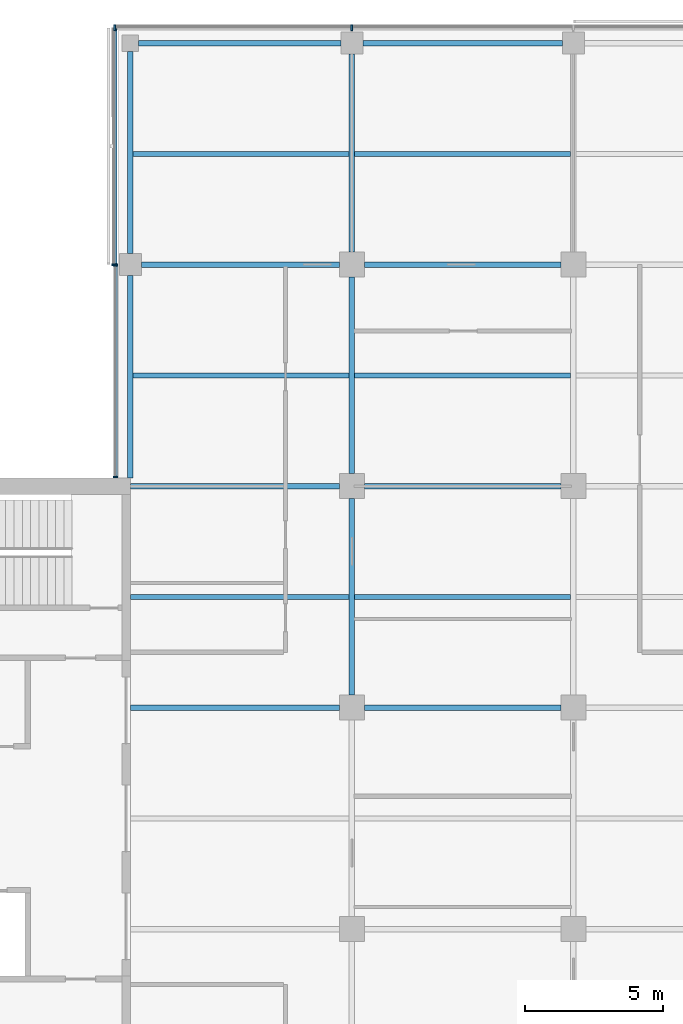
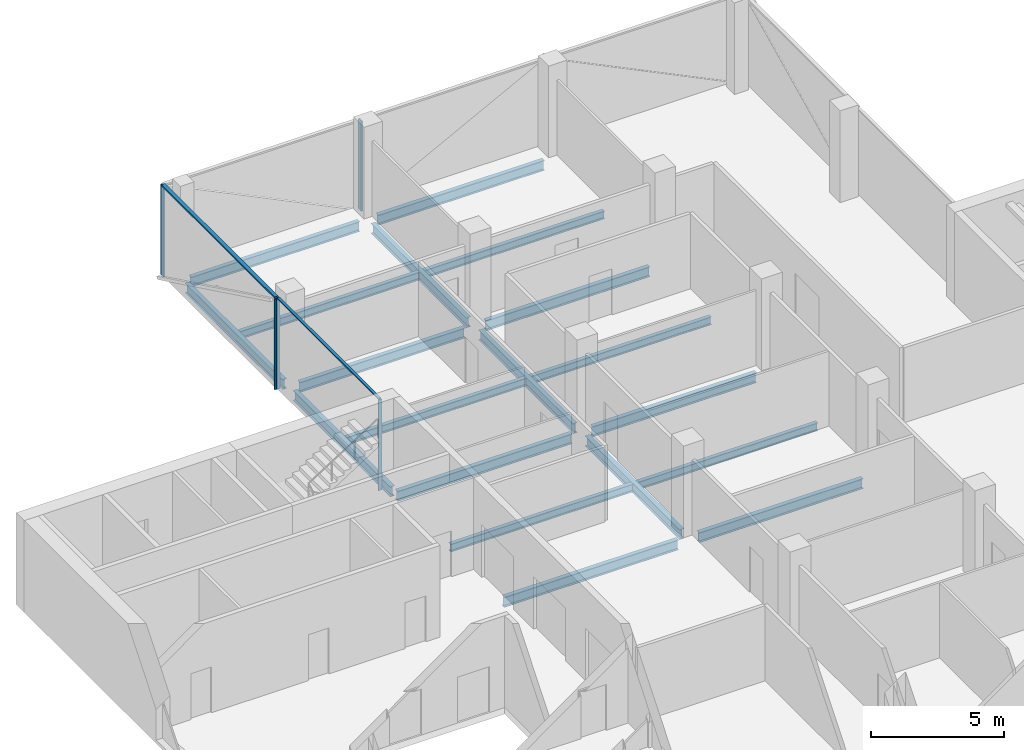
# One storey, part 5 of 15: 19 beams, 7 members, 3 elements without a shape of their own.
"""IFC4 building model written with IfcOpenShell, lengths in metres."""

from ifc_helpers import new_model, si_unit, direction, frame, origin, origin_2d, place, context, subcontext, project, spatial, rectangle, i_section, extrude, material, material_profile, profile_set, type_object, element, aggregate, save


model = new_model("IFC4")

# Units and contexts
model_context = context("Model", 3, precision=1e-05, world=origin(), true_north=direction((0.0, 1.0)))
body_context = subcontext(model_context, "Body", "Model", "MODEL_VIEW")
ifc_project = project(units=[si_unit("LENGTHUNIT", "METRE"), si_unit("AREAUNIT", "SQUARE_METRE"), si_unit("VOLUMEUNIT", "CUBIC_METRE"), si_unit("PLANEANGLEUNIT", "RADIAN"), si_unit("MASSUNIT", "GRAM", prefix="KILO")], contexts=[model_context])

# Site, building, storey
site_placement = place(None, origin())
site = spatial("IfcSite", under=ifc_project, at=site_placement, CompositionType="ELEMENT")
building_placement = place(site_placement, origin())
building = spatial("IfcBuilding", under=site, at=building_placement, Name="Crosswind Convention Tower", CompositionType="ELEMENT")
storey_placement = place(building_placement, frame((0.0, 0.0, 191.5)))
storey = spatial("IfcBuildingStorey", under=building, at=storey_placement, Name="L40", CompositionType="ELEMENT", Elevation=191.5)

# Beams
ifc_material_1 = material(Name="Steel S355", Category="steel")
ifc_material_profile_1 = material_profile(ifc_material_1, i_section(OverallWidth=0.18994140625, OverallDepth=0.45361328125, WebThickness=0.008544921875, FlangeThickness=0.0126953125, FilletRadius=0.01025390625, at=origin_2d()), Name="UB 457x191x67")
ifc_profile_set_1 = profile_set([ifc_material_profile_1], Name="Steel S355")
beam_type_1 = type_object("IfcBeamType", Name="Edge beam UB 457x191x67", PredefinedType="SPANDREL", material=ifc_profile_set_1)
for number, where, z_axis, x_axis, name in (
    (1, (113.0, 112.300048828125, -0.52685546875), (0.0, 1.0, 0.0), (-1.0, 0.0, 0.0), "B16 L40 edge beam 3"),
    (2, (113.0, 120.39990234375, -0.52685546875), (0.0, 1.0, 0.0), (-1.0, 0.0, 0.0), "B16 L40 edge beam 4"),
    (3, (113.300048828125, 128.0, -0.52685546875), (1.0, 0.0, 0.0), (0.0, 1.0, 0.0), "B16 L40 edge beam 6"),
):
    element("IfcBeam", number, at=place(storey_placement, frame(where, z_axis=z_axis, x_axis=x_axis)), inside=storey, type_object=beam_type_1, Name=name, PredefinedType="SPANDREL", context=body_context, shape_type="SweptSolid", body=[
        extrude(i_section(OverallWidth=0.18994140625, OverallDepth=0.45361328125, WebThickness=0.008544921875, FlangeThickness=0.0126953125, FilletRadius=0.01025390625, at=origin_2d()), origin(), (0.0, 0.0, 1.0), 7.300048828125),
    ])
beam_1_placement = place(storey_placement, frame((121.39990234375, 128.0, -0.52685546875), z_axis=(1.0, 0.0, 0.0), x_axis=(0.0, 1.0, 0.0)))
element("IfcBeam", 4, at=beam_1_placement, inside=storey, type_object=beam_type_1, Name="B16 L40 edge beam 8", PredefinedType="SPANDREL", context=body_context, shape_type="SweptSolid", body=[
    extrude(i_section(OverallWidth=0.18994140625, OverallDepth=0.45361328125, WebThickness=0.008544921875, FlangeThickness=0.0126953125, FilletRadius=0.01025390625, at=origin_2d()), origin(), (0.0, 0.0, 1.0), 7.2001953125),
])
ifc_material_profile_2 = material_profile(ifc_material_1, i_section(OverallWidth=0.1904296875, OverallDepth=0.457275390625, WebThickness=0.009033203125, FlangeThickness=0.014404296875, FilletRadius=0.01025390625, at=origin_2d()), Name="UB 457x191x75")
ifc_profile_set_2 = profile_set([ifc_material_profile_2], Name="Steel S355")
beam_type_2 = type_object("IfcBeamType", Name="Girder UB 457x191x75", PredefinedType="BEAM", material=ifc_profile_set_2)
beam_2_placement = place(storey_placement, frame((113.39990234375, 120.0, -0.528564453125), z_axis=(1.0, 0.0, 0.0), x_axis=(0.0, 1.0, 0.0)))
element("IfcBeam", 5, at=beam_2_placement, inside=storey, type_object=beam_type_2, Name="B2 L40 girder 2", PredefinedType="BEAM", context=body_context, shape_type="SweptSolid", body=[
    extrude(i_section(OverallWidth=0.1904296875, OverallDepth=0.457275390625, WebThickness=0.009033203125, FlangeThickness=0.014404296875, FilletRadius=0.01025390625, at=origin_2d()), origin(), (0.0, 0.0, 1.0), 7.150146484375),
])
for number, where, z_axis, x_axis, name in (
    (6, (121.0, 104.449951171875, -0.528564453125), (0.0, 1.0, 0.0), (-1.0, 0.0, 0.0), "B2 L40 girder 7"),
    (7, (121.0, 112.449951171875, -0.528564453125), (0.0, 1.0, 0.0), (-1.0, 0.0, 0.0), "B2 L40 girder 8"),
):
    element("IfcBeam", number, at=place(storey_placement, frame(where, z_axis=z_axis, x_axis=x_axis)), inside=storey, type_object=beam_type_2, Name=name, PredefinedType="BEAM", context=body_context, shape_type="SweptSolid", body=[
        extrude(i_section(OverallWidth=0.1904296875, OverallDepth=0.457275390625, WebThickness=0.009033203125, FlangeThickness=0.014404296875, FilletRadius=0.01025390625, at=origin_2d()), origin(), (0.0, 0.0, 1.0), 7.10009765625),
    ])
beam_3_placement = place(storey_placement, frame((121.0, 120.449951171875, -0.528564453125), z_axis=(0.0, 1.0, 0.0), x_axis=(-1.0, 0.0, 0.0)))
element("IfcBeam", 8, at=beam_3_placement, inside=storey, type_object=beam_type_2, Name="B2 L40 girder 9", PredefinedType="BEAM", context=body_context, shape_type="SweptSolid", body=[
    extrude(i_section(OverallWidth=0.1904296875, OverallDepth=0.457275390625, WebThickness=0.009033203125, FlangeThickness=0.014404296875, FilletRadius=0.01025390625, at=origin_2d()), origin(), (0.0, 0.0, 1.0), 7.150146484375),
])
for number, where, z_axis, x_axis, name in (
    (9, (121.449951171875, 104.0, -0.528564453125), (1.0, 0.0, 0.0), (0.0, 1.0, 0.0), "B2 L40 girder 13"),
    (10, (121.449951171875, 112.0, -0.528564453125), (1.0, 0.0, 0.0), (0.0, 1.0, 0.0), "B2 L40 girder 14"),
    (11, (121.449951171875, 120.0, -0.528564453125), (1.0, 0.0, 0.0), (0.0, 1.0, 0.0), "B2 L40 girder 15"),
):
    element("IfcBeam", number, at=place(storey_placement, frame(where, z_axis=z_axis, x_axis=x_axis)), inside=storey, type_object=beam_type_2, Name=name, PredefinedType="BEAM", context=body_context, shape_type="SweptSolid", body=[
        extrude(i_section(OverallWidth=0.1904296875, OverallDepth=0.457275390625, WebThickness=0.009033203125, FlangeThickness=0.014404296875, FilletRadius=0.01025390625, at=origin_2d()), origin(), (0.0, 0.0, 1.0), 7.10009765625),
    ])
ifc_material_profile_3 = material_profile(ifc_material_1, i_section(OverallWidth=0.19140625, OverallDepth=0.460205078125, WebThickness=0.010009765625, FlangeThickness=0.01611328125, FilletRadius=0.01025390625, at=origin_2d()), Name="UB 457x191x82")
ifc_profile_set_3 = profile_set([ifc_material_profile_3], Name="Steel S355")
beam_type_3 = type_object("IfcBeamType", Name="Girder at core wall UB 457x191x82", PredefinedType="BEAM", material=ifc_profile_set_3)
for number, where, z_axis, x_axis, name in (
    (12, (113.0, 104.0, -0.530029296875), (1.0, 0.0, 0.0), (0.0, 1.0, 0.0), "B23 L40 girder at core wall 3"),
    (13, (113.0, 112.0, -0.530029296875), (1.0, 0.0, 0.0), (0.0, 1.0, 0.0), "B23 L40 girder at core wall 4"),
):
    element("IfcBeam", number, at=place(storey_placement, frame(where, z_axis=z_axis, x_axis=x_axis)), inside=storey, type_object=beam_type_3, Name=name, PredefinedType="BEAM", context=body_context, shape_type="SweptSolid", body=[
        extrude(i_section(OverallWidth=0.19140625, OverallDepth=0.460205078125, WebThickness=0.010009765625, FlangeThickness=0.01611328125, FilletRadius=0.01025390625, at=origin_2d()), origin(), (0.0, 0.0, 1.0), 7.550048828125),
    ])

# Curtain wall, members
ifc_material_2 = material(Name="Aluminium unitised curtain wall", Category="aluminium")
curtain_wall_type_1 = type_object("IfcCurtainWallType", Name="CORE END SLOT WALL 160", PredefinedType="USERDEFINED", material=ifc_material_2)
curtain_wall_1_placement = place(storey_placement, origin())
curtain_wall_1 = element("IfcCurtainWall", 14, at=curtain_wall_1_placement, inside=storey, type_object=curtain_wall_type_1, Name="CW6 L40 N-W.1-2 slot", ObjectType="UNITISED", PredefinedType="USERDEFINED")
ifc_material_3 = material(Name="Aluminium mullion", Category="aluminium")
ifc_material_profile_4 = material_profile(ifc_material_3, rectangle(XDim=0.159912109375, YDim=0.050048828125, at=origin_2d()), Name="AL 160X50")
ifc_profile_set_4 = profile_set([ifc_material_profile_4], Name="Aluminium mullion")
member_type_1 = type_object("IfcMemberType", Name="MULLION 50X160", PredefinedType="MULLION", material=ifc_profile_set_4)
member_1_placement = place(storey_placement, frame((112.469970703125, 119.97509765625, -0.300048828125), z_axis=(0.0, 0.0, 1.0), x_axis=(-1.0, 0.0, 0.0)))
member_1 = element("IfcMember", 15, at=member_1_placement, type_object=member_type_1, Name="CW6 mullion 1", PredefinedType="MULLION", context=body_context, shape_type="SweptSolid", body=[
    extrude(rectangle(XDim=0.159912109375, YDim=0.050048828125, at=origin_2d()), origin(), (0.0, 0.0, 1.0), 4.150146484375),
])
member_2_placement = place(storey_placement, frame((112.469970703125, 112.324951171875, -0.300048828125), z_axis=(0.0, 0.0, 1.0), x_axis=(-1.0, 0.0, 0.0)))
member_2 = element("IfcMember", 16, at=member_2_placement, type_object=member_type_1, Name="CW6 mullion 2", PredefinedType="MULLION", context=body_context, shape_type="SweptSolid", body=[
    extrude(rectangle(XDim=0.159912109375, YDim=0.050048828125, at=origin_2d()), origin(), (0.0, 0.0, 1.0), 4.150146484375),
])

curtain_wall_type_2 = type_object("IfcCurtainWallType", Name="OFFICE UNITISED WALL 220", PredefinedType="USERDEFINED", material=ifc_material_2)
curtain_wall_2_placement = place(storey_placement, origin())
curtain_wall_2 = element("IfcCurtainWall", 17, at=curtain_wall_2_placement, inside=storey, type_object=curtain_wall_type_2, Name="CW3 L40 N-TIP 1", ObjectType="UNITISED", PredefinedType="USERDEFINED")
ifc_material_profile_5 = material_profile(ifc_material_3, rectangle(XDim=0.219970703125, YDim=0.070068359375, at=origin_2d()), Name="AL 220X70")
ifc_profile_set_5 = profile_set([ifc_material_profile_5], Name="Aluminium mullion")
member_type_2 = type_object("IfcMemberType", Name="MULLION 70X220", PredefinedType="MULLION", material=ifc_profile_set_5)
member_3_placement = place(storey_placement, frame((121.0, 128.56005859375, -0.300048828125), z_axis=(0.0, 0.0, 1.0), x_axis=(0.0, 1.0, 0.0)))
member_3 = element("IfcMember", 18, at=member_3_placement, type_object=member_type_2, Name="CW3 mullion 3", PredefinedType="MULLION", context=body_context, shape_type="SweptSolid", body=[
    extrude(rectangle(XDim=0.219970703125, YDim=0.070068359375, at=origin_2d()), origin(), (0.0, 0.0, 1.0), 4.130126953125),
])
member_4_placement = place(storey_placement, frame((112.43994140625, 128.56005859375, -0.300048828125), z_axis=(0.0, 0.0, 1.0), x_axis=(0.0, 1.0, 0.0)))
member_4 = element("IfcMember", 19, at=member_4_placement, type_object=member_type_2, Name="CW3 mullion 4", PredefinedType="MULLION", context=body_context, shape_type="SweptSolid", body=[
    extrude(rectangle(XDim=0.219970703125, YDim=0.070068359375, at=origin_2d()), origin(), (0.0, 0.0, 1.0), 4.130126953125),
])
aggregate(curtain_wall_2, [member_3, member_4])

# Curtain wall, member
curtain_wall_3_placement = place(storey_placement, origin())
curtain_wall_3 = element("IfcCurtainWall", 20, at=curtain_wall_3_placement, inside=storey, type_object=curtain_wall_type_2, Name="CW3 L40 N-W 1", ObjectType="UNITISED", PredefinedType="USERDEFINED")
member_5_placement = place(storey_placement, frame((112.43994140625, 120.0, -0.300048828125), z_axis=(0.0, 0.0, 1.0), x_axis=(-1.0, 0.0, 0.0)))
member_5 = element("IfcMember", 21, at=member_5_placement, type_object=member_type_2, Name="CW3 mullion 2", PredefinedType="MULLION", context=body_context, shape_type="SweptSolid", body=[
    extrude(rectangle(XDim=0.219970703125, YDim=0.070068359375, at=origin_2d()), origin(), (0.0, 0.0, 1.0), 4.130126953125),
])

# Beams
ifc_material_profile_6 = material_profile(ifc_material_1, i_section(OverallWidth=0.172119140625, OverallDepth=0.358642578125, WebThickness=0.008056640625, FlangeThickness=0.012939453125, FilletRadius=0.01025390625, at=origin_2d()), Name="UB 356x171x57")
ifc_profile_set_6 = profile_set([ifc_material_profile_6], Name="Steel S355")
beam_type_4 = type_object("IfcBeamType", Name="Secondary beam UB 356x171x57", PredefinedType="JOIST", material=ifc_profile_set_6)
beam_4_placement = place(storey_placement, frame((113.0, 108.0, -0.479248046875), z_axis=(1.0, 0.0, 0.0), x_axis=(0.0, 1.0, 0.0)))
element("IfcBeam", 22, at=beam_4_placement, inside=storey, type_object=beam_type_4, Name="B9 L40 secondary beam 3", PredefinedType="JOIST", context=body_context, shape_type="SweptSolid", body=[
    extrude(i_section(OverallWidth=0.172119140625, OverallDepth=0.358642578125, WebThickness=0.008056640625, FlangeThickness=0.012939453125, FilletRadius=0.01025390625, at=origin_2d()), origin(), (0.0, 0.0, 1.0), 7.90478515625),
])
for number, where, z_axis, x_axis, name in (
    (23, (113.094970703125, 116.0, -0.479248046875), (1.0, 0.0, 0.0), (0.0, 1.0, 0.0), "B9 L40 secondary beam 6"),
    (24, (113.094970703125, 124.0, -0.479248046875), (1.0, 0.0, 0.0), (0.0, 1.0, 0.0), "B9 L40 secondary beam 7"),
):
    element("IfcBeam", number, at=place(storey_placement, frame(where, z_axis=z_axis, x_axis=x_axis)), inside=storey, type_object=beam_type_4, Name=name, PredefinedType="JOIST", context=body_context, shape_type="SweptSolid", body=[
        extrude(i_section(OverallWidth=0.172119140625, OverallDepth=0.358642578125, WebThickness=0.008056640625, FlangeThickness=0.012939453125, FilletRadius=0.01025390625, at=origin_2d()), origin(), (0.0, 0.0, 1.0), 7.809814453125),
    ])
for number, where, z_axis, x_axis, name in (
    (25, (121.09521484375, 108.0, -0.479248046875), (1.0, 0.0, 0.0), (0.0, 1.0, 0.0), "B9 L40 secondary beam 12"),
    (26, (121.09521484375, 116.0, -0.479248046875), (1.0, 0.0, 0.0), (0.0, 1.0, 0.0), "B9 L40 secondary beam 13"),
    (27, (121.09521484375, 124.0, -0.479248046875), (1.0, 0.0, 0.0), (0.0, 1.0, 0.0), "B9 L40 secondary beam 14"),
):
    element("IfcBeam", number, at=place(storey_placement, frame(where, z_axis=z_axis, x_axis=x_axis)), inside=storey, type_object=beam_type_4, Name=name, PredefinedType="JOIST", context=body_context, shape_type="SweptSolid", body=[
        extrude(i_section(OverallWidth=0.172119140625, OverallDepth=0.358642578125, WebThickness=0.008056640625, FlangeThickness=0.012939453125, FilletRadius=0.01025390625, at=origin_2d()), origin(), (0.0, 0.0, 1.0), 7.8095703125),
    ])

# Member
ifc_material_4 = material(Name="Aluminium transom", Category="aluminium")
ifc_material_profile_7 = material_profile(ifc_material_4, rectangle(XDim=0.1201171875, YDim=0.050048828125, at=origin_2d()), Name="AL 120X50")
ifc_profile_set_7 = profile_set([ifc_material_profile_7], Name="Aluminium transom")
member_type_3 = type_object("IfcMemberType", Name="TRANSOM 50X120", PredefinedType="USERDEFINED", material=ifc_profile_set_7)
member_6_placement = place(storey_placement, frame((112.469970703125, 119.949951171875, 3.875), z_axis=(0.0, -1.0, 0.0), x_axis=(1.0, 0.0, 0.0)))
member_6 = element("IfcMember", 28, at=member_6_placement, type_object=member_type_3, Name="CW6 transom", ObjectType="TRANSOM", PredefinedType="USERDEFINED", context=body_context, shape_type="SweptSolid", body=[
    extrude(rectangle(XDim=0.1201171875, YDim=0.050048828125, at=origin_2d()), origin(), (0.0, 0.0, 1.0), 7.599853515625),
])

aggregate(curtain_wall_1, [member_1, member_2, member_6])

ifc_material_profile_8 = material_profile(ifc_material_4, rectangle(XDim=0.159912109375, YDim=0.070068359375, at=origin_2d()), Name="AL 160X70")
ifc_profile_set_8 = profile_set([ifc_material_profile_8], Name="Aluminium transom")
member_type_4 = type_object("IfcMemberType", Name="TRANSOM 70X160", PredefinedType="USERDEFINED", material=ifc_profile_set_8)
member_7_placement = place(storey_placement, frame((112.43994140625, 128.52490234375, 3.864990234375), z_axis=(0.0, -1.0, 0.0), x_axis=(1.0, 0.0, 0.0)))
member_7 = element("IfcMember", 29, at=member_7_placement, type_object=member_type_4, Name="CW3 transom", ObjectType="TRANSOM", PredefinedType="USERDEFINED", context=body_context, shape_type="SweptSolid", body=[
    extrude(rectangle(XDim=0.159912109375, YDim=0.070068359375, at=origin_2d()), origin(), (0.0, 0.0, 1.0), 8.489990234375),
])

aggregate(curtain_wall_3, [member_5, member_7])

save(model, "model.ifc")
